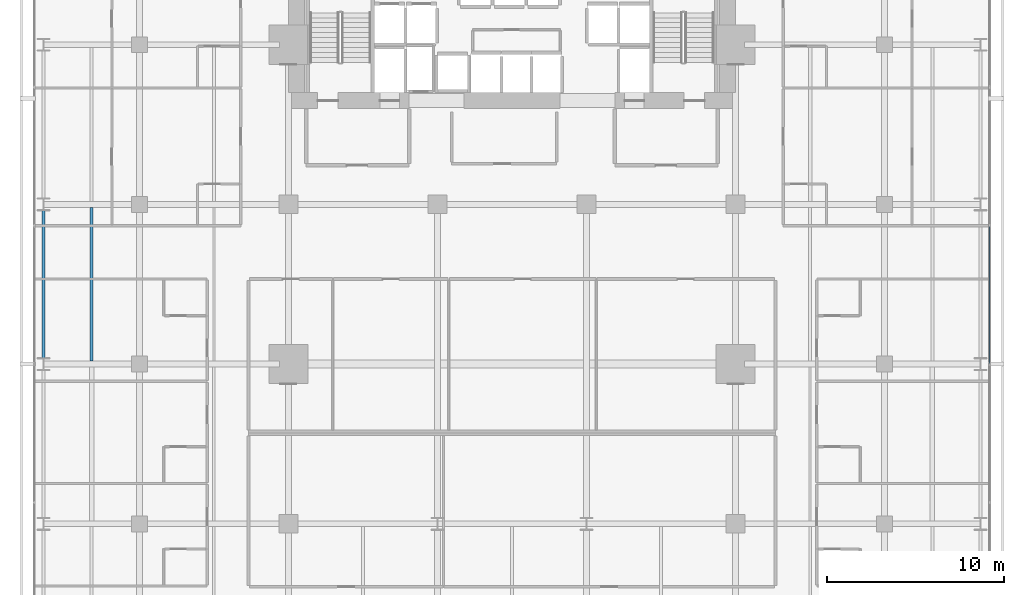
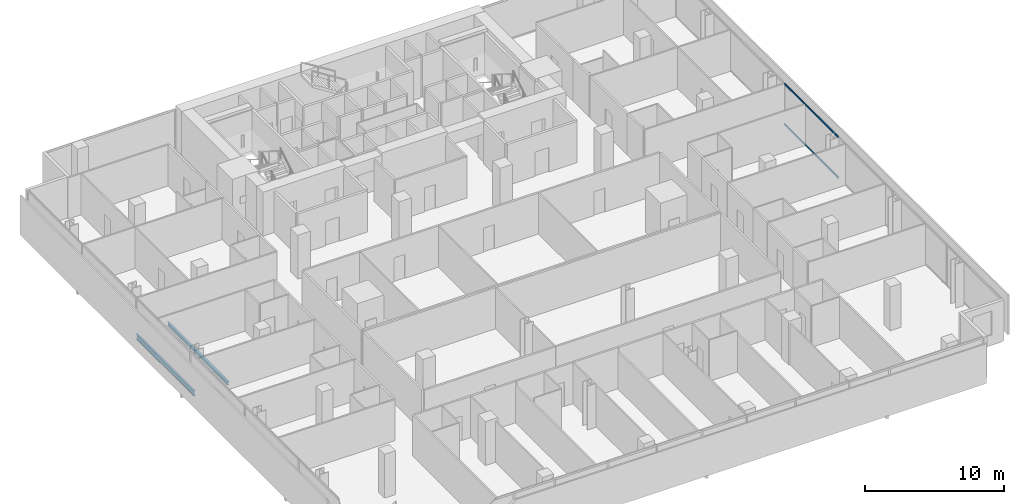
# One storey, part 20 of 40: 2 beams, 2 members, 1 element without a shape of its own.
"""IFC4 building model written with IfcOpenShell, lengths in metres."""

from ifc_helpers import new_model, si_unit, direction, frame, origin, origin_2d, place, context, subcontext, project, spatial, hollow_rectangle, i_section, extrude, material, layer, layer_set, material_profile, profile_set, type_object, element, aggregate, save


model = new_model("IFC4")

# Units and contexts
model_context = context("Model", 3, precision=1e-05, world=origin(), true_north=direction((0.0, 1.0)))
body_context = subcontext(model_context, "Body", "Model", "MODEL_VIEW")
ifc_project = project(units=[si_unit("LENGTHUNIT", "METRE"), si_unit("AREAUNIT", "SQUARE_METRE"), si_unit("VOLUMEUNIT", "CUBIC_METRE"), si_unit("PLANEANGLEUNIT", "RADIAN"), si_unit("MASSUNIT", "GRAM", prefix="KILO")], contexts=[model_context])

# Site, building, storey
site_placement = place(None, origin())
site = spatial("IfcSite", under=ifc_project, at=site_placement, CompositionType="ELEMENT")
building_placement = place(site_placement, origin())
building = spatial("IfcBuilding", under=site, at=building_placement, Name="Maruvema Waterfront Hotel and Observation Tower", CompositionType="ELEMENT")
storey_placement = place(building_placement, frame((0.0, 0.0, 88.550048828125)))
storey = spatial("IfcBuildingStorey", under=building, at=storey_placement, Name="L21", CompositionType="ELEMENT", Elevation=88.550048828125)

# Curtain wall, members
ifc_material_1 = material(Name="Anodised bronze aluminium and solar-control low-E IGU", Category="aluminium")
ifc_layer = layer(ifc_material_1, 0.159912109375, Name="Zone 1 Bronze Inner Thermal Curtain Wall System CW-02")
ifc_layer_set = layer_set([ifc_layer], Name="Anodised bronze aluminium and solar-control low-E IGU")
curtain_wall_type = type_object("IfcCurtainWallType", Name="Zone 1 Bronze Inner Thermal Curtain Wall System CW-02", PredefinedType="USERDEFINED", material=ifc_layer_set)
curtain_wall_placement = place(storey_placement, origin())
curtain_wall = element("IfcCurtainWall", 1, at=curtain_wall_placement, inside=storey, type_object=curtain_wall_type, Name="L21 Curtain Wall CW-L21-E", ObjectType="UNITISED CURTAIN WALL", PredefinedType="USERDEFINED")
ifc_material_2 = material(Name="Anodised architectural bronze aluminium", Category="aluminium")
ifc_material_profile_1 = material_profile(ifc_material_2, hollow_rectangle(XDim=0.070068359375, YDim=0.14990234375, WallThickness=0.00390625, at=origin_2d()), Name="ALU-T70x150")
ifc_profile_set_1 = profile_set([ifc_material_profile_1], Name="Anodised architectural bronze aluminium")
member_type = type_object("IfcMemberType", Name="Curtain Wall Horizontal Transom ALU-T70x150", PredefinedType="USERDEFINED", material=ifc_profile_set_1)
member_1_placement = place(storey_placement, frame((64.719970703125, 27.030029296875, 0.030029296875), z_axis=(0.0, 1.0, 0.0), x_axis=(-1.0, 0.0, 0.0)))
member_1 = element("IfcMember", 2, at=member_1_placement, type_object=member_type, Name="CW-02 transom 4.1", ObjectType="TRANSOM", PredefinedType="USERDEFINED", context=body_context, shape_type="SweptSolid", body=[
    extrude(hollow_rectangle(XDim=0.070068359375, YDim=0.14990234375, WallThickness=0.00390625, at=origin_2d()), origin(), (0.0, 0.0, 1.0), 7.739990234375),
])
member_2_placement = place(storey_placement, frame((64.719970703125, 27.030029296875, 3.579833984375), z_axis=(0.0, 1.0, 0.0), x_axis=(-1.0, 0.0, 0.0)))
member_2 = element("IfcMember", 3, at=member_2_placement, type_object=member_type, Name="CW-02 transom 4.2", ObjectType="TRANSOM", PredefinedType="USERDEFINED", context=body_context, shape_type="SweptSolid", body=[
    extrude(hollow_rectangle(XDim=0.070068359375, YDim=0.14990234375, WallThickness=0.00390625, at=origin_2d()), origin(), (0.0, 0.0, 1.0), 7.739990234375),
])
aggregate(curtain_wall, [member_1, member_2])

# Beams
ifc_material_3 = material(Name="Steel ASTM A572 Grade 50", Category="steel")
ifc_material_profile_2 = material_profile(ifc_material_3, i_section(OverallWidth=0.153076171875, OverallDepth=0.455078125, WebThickness=0.008056640625, FlangeThickness=0.01318359375, FilletRadius=0.014892578125, at=origin_2d()), Name="W460x60.0")
ifc_profile_set_2 = profile_set([ifc_material_profile_2], Name="Steel ASTM A572 Grade 50")
beam_type_1 = type_object("IfcBeamType", Name="Perimeter Spandrel Beam W460x60.0", PredefinedType="SPANDREL", material=ifc_profile_set_2)
beam_1_placement = place(storey_placement, frame((11.39990234375, 27.35009765625, -0.467529296875), z_axis=(0.0, 1.0, 0.0), x_axis=(-1.0, 0.0, 0.0)))
element("IfcBeam", 4, at=beam_1_placement, inside=storey, type_object=beam_type_1, Name="L21 Floor Girder NS-03", PredefinedType="SPANDREL", context=body_context, shape_type="SweptSolid", body=[
    extrude(i_section(OverallWidth=0.153076171875, OverallDepth=0.455078125, WebThickness=0.008056640625, FlangeThickness=0.01318359375, FilletRadius=0.014892578125, at=origin_2d()), origin(), (0.0, 0.0, 1.0), 8.2998046875),
])
ifc_material_4 = material(Name="Steel ASTM A572 Grade 50", Category="steel")
ifc_material_profile_3 = material_profile(ifc_material_4, i_section(OverallWidth=0.1669921875, OverallDepth=0.31689453125, WebThickness=0.007568359375, FlangeThickness=0.01318359375, FilletRadius=0.012939453125, at=origin_2d()), Name="W310x52.0")
ifc_profile_set_3 = profile_set([ifc_material_profile_3], Name="Steel ASTM A572 Grade 50")
beam_type_2 = type_object("IfcBeamType", Name="Secondary Floor Joist W310x52.0", PredefinedType="JOIST", material=ifc_profile_set_3)
beam_2_placement = place(storey_placement, frame((14.10009765625, 27.162109375, -0.3984375), z_axis=(0.0, 1.0, 0.0), x_axis=(-1.0, 0.0, 0.0)))
element("IfcBeam", 5, at=beam_2_placement, inside=storey, type_object=beam_type_2, Name="L21 Secondary Floor Joist JS-03", PredefinedType="JOIST", context=body_context, shape_type="SweptSolid", body=[
    extrude(i_section(OverallWidth=0.1669921875, OverallDepth=0.31689453125, WebThickness=0.007568359375, FlangeThickness=0.01318359375, FilletRadius=0.012939453125, at=origin_2d()), origin(), (0.0, 0.0, 1.0), 8.67578125),
])

save(model, "model.ifc")
